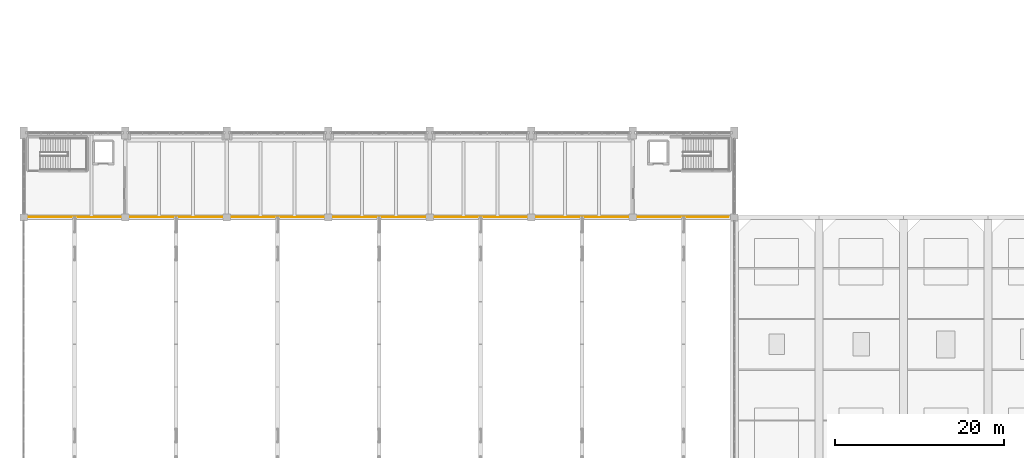
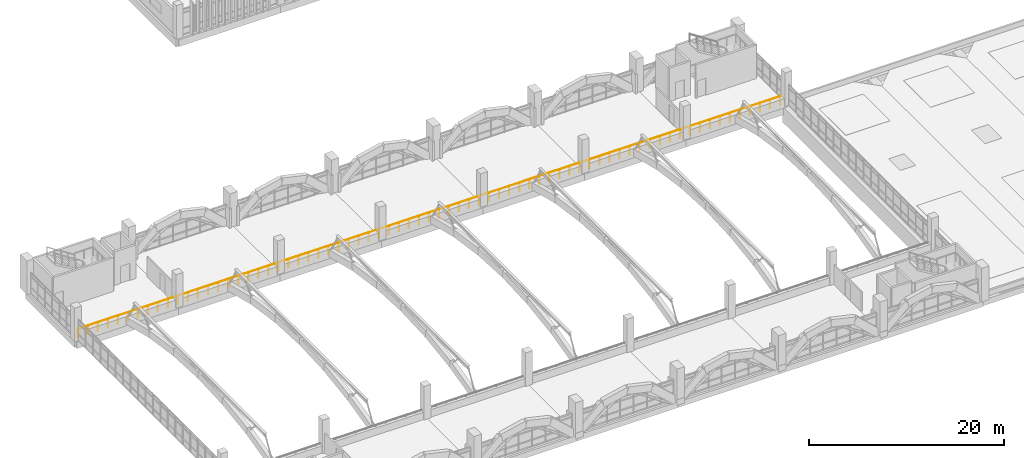
# One storey, part 156 of 161: 1 railing.
"""IFC4 building model written with IfcOpenShell, lengths in metres."""

from ifc_helpers import new_model, si_unit, direction, frame, origin, origin_2d, place, context, subcontext, project, spatial, circle, extrude, material, type_object, element, save


model = new_model("IFC4")

# Units and contexts
model_context = context("Model", 3, precision=1e-05, world=origin(), true_north=direction((0.0, 1.0)))
body_context = subcontext(model_context, "Body", "Model", "MODEL_VIEW")
ifc_project = project(units=[si_unit("LENGTHUNIT", "METRE"), si_unit("AREAUNIT", "SQUARE_METRE"), si_unit("VOLUMEUNIT", "CUBIC_METRE"), si_unit("PLANEANGLEUNIT", "RADIAN"), si_unit("MASSUNIT", "GRAM", prefix="KILO")], contexts=[model_context])

# Site, building, storey
site_placement = place(None, origin())
site = spatial("IfcSite", under=ifc_project, at=site_placement, CompositionType="ELEMENT")
building_placement = place(site_placement, origin())
building = spatial("IfcBuilding", under=site, at=building_placement, Name="Mersad Railyard Sports Hall", CompositionType="ELEMENT")
storey_placement = place(building_placement, frame((0.0, 0.0, 4.800048828125)))
storey = spatial("IfcBuildingStorey", under=building, at=storey_placement, Name="L01", CompositionType="ELEMENT", Elevation=4.800048828125)

# Railing
ifc_material = material(Name="Steel S355", Category="steel")
railing_type = type_object("IfcRailingType", Name="ARC-RL-GR01", PredefinedType="GUARDRAIL", material=ifc_material)
railing_placement = place(storey_placement, frame((7.25, 43.580078125, 0.0)))
element("IfcRailing", 1, at=railing_placement, inside=storey, type_object=railing_type, Name="Interior guard GR01-0181", PredefinedType="GUARDRAIL", context=body_context, shape_type="SweptSolid", body=[
    extrude(circle(Radius=0.02392578125, at=origin_2d()), frame((0.0, 0.0, 1.09619140625), z_axis=(1.0, 0.0, 0.0), x_axis=(0.0, 1.0, 0.0)), (0.0, 0.0, 1.0), 83.050048828125),
    extrude(circle(Radius=0.02099609375, at=origin_2d()), origin(), (0.0, 0.0, 1.0), 1.072021484375),
    extrude(circle(Radius=0.02099609375, at=origin_2d()), frame((1.1865234375, 0.0, 0.0)), (0.0, 0.0, 1.0), 1.072021484375),
    extrude(circle(Radius=0.02099609375, at=origin_2d()), frame((2.372802734375, 0.0, 0.0)), (0.0, 0.0, 1.0), 1.072021484375),
    extrude(circle(Radius=0.02099609375, at=origin_2d()), frame((3.559326171875, 0.0, 0.0)), (0.0, 0.0, 1.0), 1.072021484375),
    extrude(circle(Radius=0.02099609375, at=origin_2d()), frame((4.74560546875, 0.0, 0.0)), (0.0, 0.0, 1.0), 1.072021484375),
    extrude(circle(Radius=0.02099609375, at=origin_2d()), frame((5.93212890625, 0.0, 0.0)), (0.0, 0.0, 1.0), 1.072021484375),
    extrude(circle(Radius=0.02099609375, at=origin_2d()), frame((7.11865234375, 0.0, 0.0)), (0.0, 0.0, 1.0), 1.072021484375),
    extrude(circle(Radius=0.02099609375, at=origin_2d()), frame((8.304931640625, 0.0, 0.0)), (0.0, 0.0, 1.0), 1.072021484375),
    extrude(circle(Radius=0.02099609375, at=origin_2d()), frame((9.491455078125, 0.0, 0.0)), (0.0, 0.0, 1.0), 1.072021484375),
    extrude(circle(Radius=0.02099609375, at=origin_2d()), frame((10.677978515625, 0.0, 0.0)), (0.0, 0.0, 1.0), 1.072021484375),
    extrude(circle(Radius=0.02099609375, at=origin_2d()), frame((11.8642578125, 0.0, 0.0)), (0.0, 0.0, 1.0), 1.072021484375),
    extrude(circle(Radius=0.02099609375, at=origin_2d()), frame((13.05078125, 0.0, 0.0)), (0.0, 0.0, 1.0), 1.072021484375),
    extrude(circle(Radius=0.02099609375, at=origin_2d()), frame((14.237060546875, 0.0, 0.0)), (0.0, 0.0, 1.0), 1.072021484375),
    extrude(circle(Radius=0.02099609375, at=origin_2d()), frame((15.423583984375, 0.0, 0.0)), (0.0, 0.0, 1.0), 1.072021484375),
    extrude(circle(Radius=0.02099609375, at=origin_2d()), frame((16.610107421875, 0.0, 0.0)), (0.0, 0.0, 1.0), 1.072021484375),
    extrude(circle(Radius=0.02099609375, at=origin_2d()), frame((17.79638671875, 0.0, 0.0)), (0.0, 0.0, 1.0), 1.072021484375),
    extrude(circle(Radius=0.02099609375, at=origin_2d()), frame((18.98291015625, 0.0, 0.0)), (0.0, 0.0, 1.0), 1.072021484375),
    extrude(circle(Radius=0.02099609375, at=origin_2d()), frame((20.169189453125, 0.0, 0.0)), (0.0, 0.0, 1.0), 1.072021484375),
    extrude(circle(Radius=0.02099609375, at=origin_2d()), frame((21.355712890625, 0.0, 0.0)), (0.0, 0.0, 1.0), 1.072021484375),
    extrude(circle(Radius=0.02099609375, at=origin_2d()), frame((22.542236328125, 0.0, 0.0)), (0.0, 0.0, 1.0), 1.072021484375),
    extrude(circle(Radius=0.02099609375, at=origin_2d()), frame((23.728515625, 0.0, 0.0)), (0.0, 0.0, 1.0), 1.072021484375),
    extrude(circle(Radius=0.02099609375, at=origin_2d()), frame((24.9150390625, 0.0, 0.0)), (0.0, 0.0, 1.0), 1.072021484375),
    extrude(circle(Radius=0.02099609375, at=origin_2d()), frame((26.1015625, 0.0, 0.0)), (0.0, 0.0, 1.0), 1.072021484375),
    extrude(circle(Radius=0.02099609375, at=origin_2d()), frame((27.287841796875, 0.0, 0.0)), (0.0, 0.0, 1.0), 1.072021484375),
    extrude(circle(Radius=0.02099609375, at=origin_2d()), frame((28.474365234375, 0.0, 0.0)), (0.0, 0.0, 1.0), 1.072021484375),
    extrude(circle(Radius=0.02099609375, at=origin_2d()), frame((29.66064453125, 0.0, 0.0)), (0.0, 0.0, 1.0), 1.072021484375),
    extrude(circle(Radius=0.02099609375, at=origin_2d()), frame((30.84716796875, 0.0, 0.0)), (0.0, 0.0, 1.0), 1.072021484375),
    extrude(circle(Radius=0.02099609375, at=origin_2d()), frame((32.03369140625, 0.0, 0.0)), (0.0, 0.0, 1.0), 1.072021484375),
    extrude(circle(Radius=0.02099609375, at=origin_2d()), frame((33.219970703125, 0.0, 0.0)), (0.0, 0.0, 1.0), 1.072021484375),
    extrude(circle(Radius=0.02099609375, at=origin_2d()), frame((34.406494140625, 0.0, 0.0)), (0.0, 0.0, 1.0), 1.072021484375),
    extrude(circle(Radius=0.02099609375, at=origin_2d()), frame((35.5927734375, 0.0, 0.0)), (0.0, 0.0, 1.0), 1.072021484375),
    extrude(circle(Radius=0.02099609375, at=origin_2d()), frame((36.779296875, 0.0, 0.0)), (0.0, 0.0, 1.0), 1.072021484375),
    extrude(circle(Radius=0.02099609375, at=origin_2d()), frame((37.9658203125, 0.0, 0.0)), (0.0, 0.0, 1.0), 1.072021484375),
    extrude(circle(Radius=0.02099609375, at=origin_2d()), frame((39.152099609375, 0.0, 0.0)), (0.0, 0.0, 1.0), 1.072021484375),
    extrude(circle(Radius=0.02099609375, at=origin_2d()), frame((40.338623046875, 0.0, 0.0)), (0.0, 0.0, 1.0), 1.072021484375),
    extrude(circle(Radius=0.02099609375, at=origin_2d()), frame((41.52490234375, 0.0, 0.0)), (0.0, 0.0, 1.0), 1.072021484375),
    extrude(circle(Radius=0.02099609375, at=origin_2d()), frame((42.71142578125, 0.0, 0.0)), (0.0, 0.0, 1.0), 1.072021484375),
    extrude(circle(Radius=0.02099609375, at=origin_2d()), frame((43.89794921875, 0.0, 0.0)), (0.0, 0.0, 1.0), 1.072021484375),
    extrude(circle(Radius=0.02099609375, at=origin_2d()), frame((45.084228515625, 0.0, 0.0)), (0.0, 0.0, 1.0), 1.072021484375),
    extrude(circle(Radius=0.02099609375, at=origin_2d()), frame((46.270751953125, 0.0, 0.0)), (0.0, 0.0, 1.0), 1.072021484375),
    extrude(circle(Radius=0.02099609375, at=origin_2d()), frame((47.457275390625, 0.0, 0.0)), (0.0, 0.0, 1.0), 1.072021484375),
    extrude(circle(Radius=0.02099609375, at=origin_2d()), frame((48.6435546875, 0.0, 0.0)), (0.0, 0.0, 1.0), 1.072021484375),
    extrude(circle(Radius=0.02099609375, at=origin_2d()), frame((49.830078125, 0.0, 0.0)), (0.0, 0.0, 1.0), 1.072021484375),
    extrude(circle(Radius=0.02099609375, at=origin_2d()), frame((51.016357421875, 0.0, 0.0)), (0.0, 0.0, 1.0), 1.072021484375),
    extrude(circle(Radius=0.02099609375, at=origin_2d()), frame((52.202880859375, 0.0, 0.0)), (0.0, 0.0, 1.0), 1.072021484375),
    extrude(circle(Radius=0.02099609375, at=origin_2d()), frame((53.389404296875, 0.0, 0.0)), (0.0, 0.0, 1.0), 1.072021484375),
    extrude(circle(Radius=0.02099609375, at=origin_2d()), frame((54.57568359375, 0.0, 0.0)), (0.0, 0.0, 1.0), 1.072021484375),
    extrude(circle(Radius=0.02099609375, at=origin_2d()), frame((55.76220703125, 0.0, 0.0)), (0.0, 0.0, 1.0), 1.072021484375),
    extrude(circle(Radius=0.02099609375, at=origin_2d()), frame((56.948486328125, 0.0, 0.0)), (0.0, 0.0, 1.0), 1.072021484375),
    extrude(circle(Radius=0.02099609375, at=origin_2d()), frame((58.135009765625, 0.0, 0.0)), (0.0, 0.0, 1.0), 1.072021484375),
    extrude(circle(Radius=0.02099609375, at=origin_2d()), frame((59.321533203125, 0.0, 0.0)), (0.0, 0.0, 1.0), 1.072021484375),
    extrude(circle(Radius=0.02099609375, at=origin_2d()), frame((60.5078125, 0.0, 0.0)), (0.0, 0.0, 1.0), 1.072021484375),
    extrude(circle(Radius=0.02099609375, at=origin_2d()), frame((61.6943359375, 0.0, 0.0)), (0.0, 0.0, 1.0), 1.072021484375),
    extrude(circle(Radius=0.02099609375, at=origin_2d()), frame((62.880859375, 0.0, 0.0)), (0.0, 0.0, 1.0), 1.072021484375),
    extrude(circle(Radius=0.02099609375, at=origin_2d()), frame((64.067138671875, 0.0, 0.0)), (0.0, 0.0, 1.0), 1.072021484375),
    extrude(circle(Radius=0.02099609375, at=origin_2d()), frame((65.253662109375, 0.0, 0.0)), (0.0, 0.0, 1.0), 1.072021484375),
    extrude(circle(Radius=0.02099609375, at=origin_2d()), frame((66.43994140625, 0.0, 0.0)), (0.0, 0.0, 1.0), 1.072021484375),
    extrude(circle(Radius=0.02099609375, at=origin_2d()), frame((67.62646484375, 0.0, 0.0)), (0.0, 0.0, 1.0), 1.072021484375),
    extrude(circle(Radius=0.02099609375, at=origin_2d()), frame((68.81298828125, 0.0, 0.0)), (0.0, 0.0, 1.0), 1.072021484375),
    extrude(circle(Radius=0.02099609375, at=origin_2d()), frame((69.999267578125, 0.0, 0.0)), (0.0, 0.0, 1.0), 1.072021484375),
    extrude(circle(Radius=0.02099609375, at=origin_2d()), frame((71.185791015625, 0.0, 0.0)), (0.0, 0.0, 1.0), 1.072021484375),
    extrude(circle(Radius=0.02099609375, at=origin_2d()), frame((72.3720703125, 0.0, 0.0)), (0.0, 0.0, 1.0), 1.072021484375),
    extrude(circle(Radius=0.02099609375, at=origin_2d()), frame((73.55859375, 0.0, 0.0)), (0.0, 0.0, 1.0), 1.072021484375),
    extrude(circle(Radius=0.02099609375, at=origin_2d()), frame((74.7451171875, 0.0, 0.0)), (0.0, 0.0, 1.0), 1.072021484375),
    extrude(circle(Radius=0.02099609375, at=origin_2d()), frame((75.931396484375, 0.0, 0.0)), (0.0, 0.0, 1.0), 1.072021484375),
    extrude(circle(Radius=0.02099609375, at=origin_2d()), frame((77.117919921875, 0.0, 0.0)), (0.0, 0.0, 1.0), 1.072021484375),
    extrude(circle(Radius=0.02099609375, at=origin_2d()), frame((78.304443359375, 0.0, 0.0)), (0.0, 0.0, 1.0), 1.072021484375),
    extrude(circle(Radius=0.02099609375, at=origin_2d()), frame((79.49072265625, 0.0, 0.0)), (0.0, 0.0, 1.0), 1.072021484375),
    extrude(circle(Radius=0.02099609375, at=origin_2d()), frame((80.67724609375, 0.0, 0.0)), (0.0, 0.0, 1.0), 1.072021484375),
    extrude(circle(Radius=0.02099609375, at=origin_2d()), frame((81.863525390625, 0.0, 0.0)), (0.0, 0.0, 1.0), 1.072021484375),
    extrude(circle(Radius=0.02099609375, at=origin_2d()), frame((83.050048828125, 0.0, 0.0)), (0.0, 0.0, 1.0), 1.072021484375),
])

save(model, "model.ifc")
